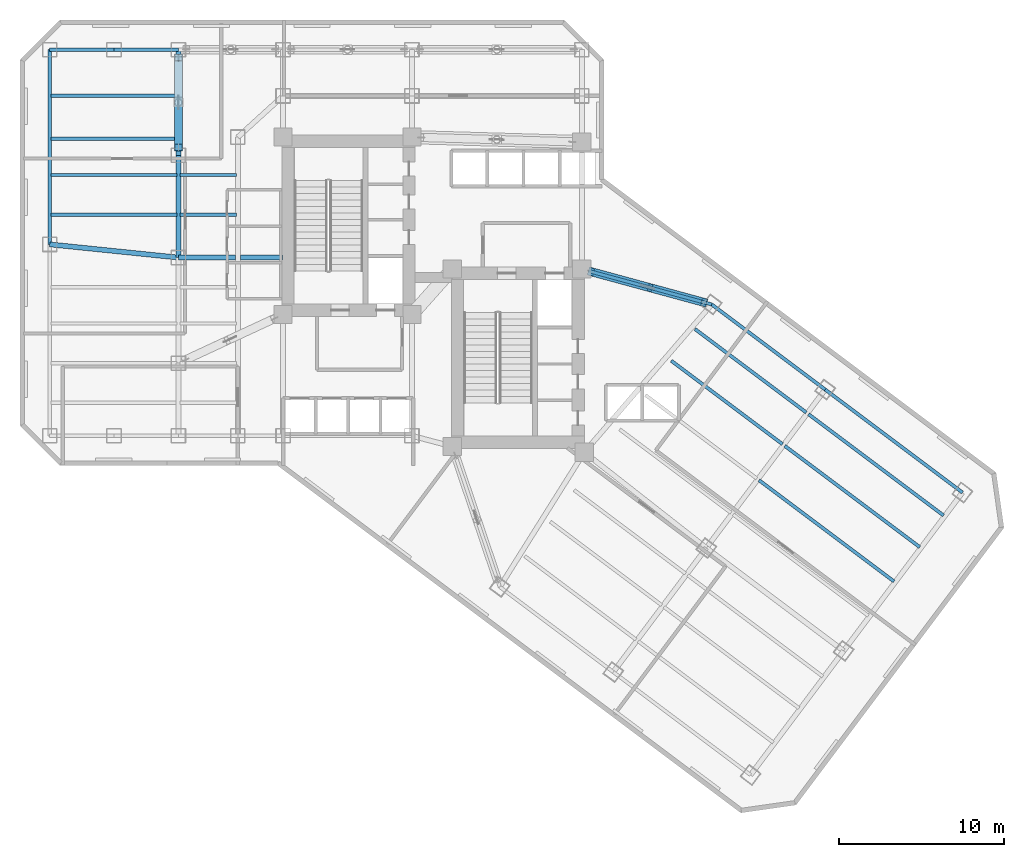
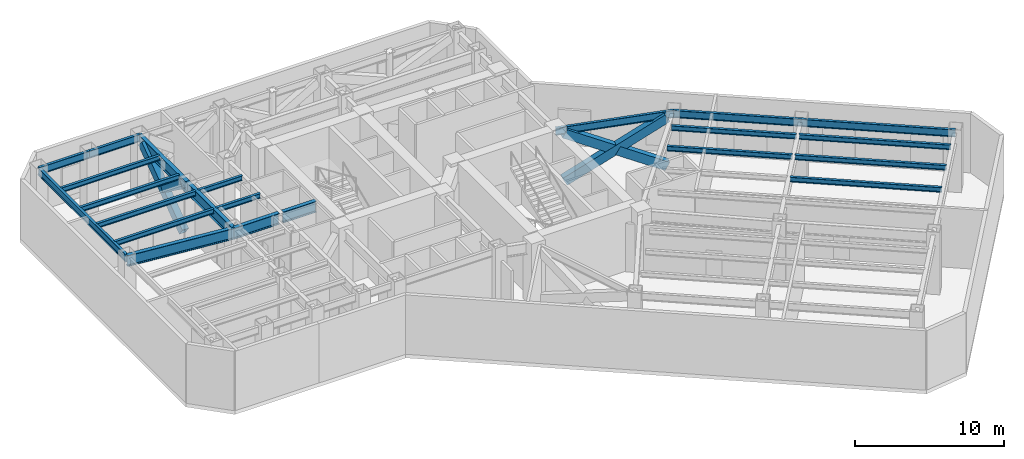
# One storey, part 2 of 14: 22 beams, 5 members.
"""IFC4 building model written with IfcOpenShell, lengths in metres."""

from ifc_helpers import new_model, si_unit, direction, frame, origin, origin_2d, place, context, subcontext, project, spatial, hollow_rectangle, i_section, extrude, material, material_profile, profile_set, type_object, element, save


model = new_model("IFC4")

# Units and contexts
model_context = context("Model", 3, precision=1e-05, world=origin(), true_north=direction((0.0, 1.0)))
body_context = subcontext(model_context, "Body", "Model", "MODEL_VIEW")
ifc_project = project(units=[si_unit("LENGTHUNIT", "METRE"), si_unit("AREAUNIT", "SQUARE_METRE"), si_unit("VOLUMEUNIT", "CUBIC_METRE"), si_unit("PLANEANGLEUNIT", "RADIAN"), si_unit("MASSUNIT", "GRAM", prefix="KILO")], contexts=[model_context])

# Site, building, storey
site_placement = place(None, origin())
site = spatial("IfcSite", under=ifc_project, at=site_placement, CompositionType="ELEMENT")
building_placement = place(site_placement, origin())
building = spatial("IfcBuilding", under=site, at=building_placement, Name="Hatsunagi Terrace Concourse", CompositionType="ELEMENT")
storey_placement = place(building_placement, frame((0.0, 0.0, 91.35009765625)))
storey = spatial("IfcBuildingStorey", under=building, at=storey_placement, Name="L24", CompositionType="ELEMENT", Elevation=91.35009765625)

# Beams
ifc_material_1 = material(Name="Steel SN490B", Category="steel")
ifc_material_profile_1 = material_profile(ifc_material_1, i_section(OverallWidth=0.300048828125, OverallDepth=0.89990234375, WebThickness=0.01611328125, FlangeThickness=0.028076171875, FilletRadius=0.02197265625, at=origin_2d()), Name="H-900x300x16x28")
ifc_profile_set_1 = profile_set([ifc_material_profile_1], Name="Steel SN490B")
beam_type_1 = type_object("IfcBeamType", Name="HeavyRefugeGirder_H_900x300", PredefinedType="BEAM", material=ifc_profile_set_1)
beam_1_placement = place(storey_placement, frame((19.199951171875, 36.0, 4.39990234375), z_axis=(0.0, 1.0, 0.0), x_axis=(-1.0, 0.0, 0.0)))
element("IfcBeam", 1, at=beam_1_placement, inside=storey, type_object=beam_type_1, Name="Beam G-02 BM-L24-NS-19-36", PredefinedType="BEAM", context=body_context, shape_type="SweptSolid", body=[
    extrude(i_section(OverallWidth=0.300048828125, OverallDepth=0.89990234375, WebThickness=0.01611328125, FlangeThickness=0.028076171875, FilletRadius=0.02197265625, at=origin_2d()), origin(), (0.0, 0.0, 1.0), 6.199951171875),
])
beam_2_placement = place(storey_placement, frame((19.199951171875, 42.199951171875, 4.39990234375), z_axis=(0.0, 1.0, 0.0), x_axis=(-1.0, 0.0, 0.0)))
element("IfcBeam", 2, at=beam_2_placement, inside=storey, type_object=beam_type_1, Name="Beam G-02 BM-L24-NS-19-42", PredefinedType="BEAM", context=body_context, shape_type="SweptSolid", body=[
    extrude(i_section(OverallWidth=0.300048828125, OverallDepth=0.89990234375, WebThickness=0.01611328125, FlangeThickness=0.028076171875, FilletRadius=0.02197265625, at=origin_2d()), origin(), (0.0, 0.0, 1.0), 6.400146484375),
])
beam_3_placement = place(storey_placement, frame((11.39990234375, 36.800048828125, 4.39990234375), z_axis=(0.994780871372, -0.102034395927, 0.0), x_axis=(0.102034395927, 0.994780871372, 0.0)))
element("IfcBeam", 3, at=beam_3_placement, inside=storey, type_object=beam_type_1, Name="Beam G-02 BM-L24-EW-2", PredefinedType="BEAM", context=body_context, shape_type="SweptSolid", body=[
    extrude(i_section(OverallWidth=0.300048828125, OverallDepth=0.89990234375, WebThickness=0.01611328125, FlangeThickness=0.028076171875, FilletRadius=0.02197265625, at=origin_2d()), origin(), (0.0, 0.0, 1.0), 7.841064453125),
])
beam_4_placement = place(storey_placement, frame((19.199951171875, 36.0, 4.39990234375), z_axis=(1.0, 0.0, 0.0), x_axis=(0.0, 1.0, 0.0)))
element("IfcBeam", 4, at=beam_4_placement, inside=storey, type_object=beam_type_1, Name="Beam G-02 BM-L24-EW-3", PredefinedType="BEAM", context=body_context, shape_type="SweptSolid", body=[
    extrude(i_section(OverallWidth=0.300048828125, OverallDepth=0.89990234375, WebThickness=0.01611328125, FlangeThickness=0.028076171875, FilletRadius=0.02197265625, at=origin_2d()), origin(), (0.0, 0.0, 1.0), 3.449951171875),
])
beam_5_placement = place(storey_placement, frame((22.949951171875, 36.0, 4.39990234375), z_axis=(1.0, 0.0, 0.0), x_axis=(0.0, 1.0, 0.0)))
element("IfcBeam", 5, at=beam_5_placement, inside=storey, type_object=beam_type_1, Name="Beam G-02 BM-L24-EW-4", PredefinedType="BEAM", context=body_context, shape_type="SweptSolid", body=[
    extrude(i_section(OverallWidth=0.300048828125, OverallDepth=0.89990234375, WebThickness=0.01611328125, FlangeThickness=0.028076171875, FilletRadius=0.02197265625, at=origin_2d()), origin(), (0.0, 0.0, 1.0), 2.56005859375),
])

# Members
ifc_material_2 = material(Name="Steel SN490C", Category="steel")
ifc_material_profile_2 = material_profile(ifc_material_2, hollow_rectangle(XDim=0.5, YDim=0.699951171875, WallThickness=0.031982421875, at=origin_2d()), Name="RHS-700x500x32")
ifc_profile_set_2 = profile_set([ifc_material_profile_2], Name="Steel SN490C")
member_type = type_object("IfcMemberType", Name="OutriggerDiagonal_RHS_700x500x32", PredefinedType="BRACE", material=ifc_profile_set_2)
member_1_placement = place(storey_placement, frame((19.199951171875, 42.677978515625, 0.4599609375), z_axis=(0.0, 0.810814398981, 0.585303349047), x_axis=(-1.0, 0.0, 0.0)))
element("IfcMember", 6, at=member_1_placement, inside=storey, type_object=member_type, Name="Primary Continuous Brace OUT-01 OUT-L24-2A", PredefinedType="BRACE", context=body_context, shape_type="SweptSolid", body=[
    extrude(hollow_rectangle(XDim=0.5, YDim=0.699951171875, WallThickness=0.031982421875, at=origin_2d()), origin(), (0.0, 0.0, 1.0), 6.71435546875),
])
member_2_placement = place(storey_placement, frame((19.199951171875, 42.677978515625, 4.389892578125), z_axis=(0.0, 0.810743267364, -0.585401874291), x_axis=(-1.0, 0.0, 0.0)))
element("IfcMember", 7, at=member_2_placement, inside=storey, type_object=member_type, Name="Split Secondary Brace Upper OUT-01 OUT-L24-2B1", PredefinedType="BRACE", context=body_context, shape_type="SweptSolid", body=[
    extrude(hollow_rectangle(XDim=0.5, YDim=0.699951171875, WallThickness=0.031982421875, at=origin_2d()), origin(), (0.0, 0.0, 1.0), 3.216796875),
])
member_3_placement = place(storey_placement, frame((44.2080078125, 35.14794921875, 0.4599609375), z_axis=(0.844252934101, -0.229580719126, 0.484282641302), x_axis=(0.262404472405, 0.964957974661, 0.0)))
element("IfcMember", 8, at=member_3_placement, inside=storey, type_object=member_type, Name="Primary Continuous Brace OUT-01 OUT-L24-6A", PredefinedType="BRACE", context=body_context, shape_type="SweptSolid", body=[
    extrude(hollow_rectangle(XDim=0.5, YDim=0.699951171875, WallThickness=0.031982421875, at=origin_2d()), origin(), (0.0, 0.0, 1.0), 8.114990234375),
])
member_4_placement = place(storey_placement, frame((44.2080078125, 35.14794921875, 4.389892578125), z_axis=(0.844261971574, -0.229499636717, -0.484305317027), x_axis=(0.262315560735, 0.96498214833, 0.0)))
element("IfcMember", 9, at=member_4_placement, inside=storey, type_object=member_type, Name="Split Secondary Brace Upper OUT-01 OUT-L24-6B1", PredefinedType="BRACE", context=body_context, shape_type="SweptSolid", body=[
    extrude(hollow_rectangle(XDim=0.5, YDim=0.699951171875, WallThickness=0.031982421875, at=origin_2d()), origin(), (0.0, 0.0, 1.0), 3.9169921875),
])
member_5_placement = place(storey_placement, frame((47.751953125, 34.18408203125, 2.35693359375), z_axis=(0.844267795415, -0.229546603463, -0.484272904944), x_axis=(0.262363863048, 0.964969016791, 0.0)))
element("IfcMember", 10, at=member_5_placement, inside=storey, type_object=member_type, Name="Split Secondary Brace Lower OUT-01 OUT-L24-6B2", PredefinedType="BRACE", context=body_context, shape_type="SweptSolid", body=[
    extrude(hollow_rectangle(XDim=0.5, YDim=0.699951171875, WallThickness=0.031982421875, at=origin_2d()), origin(), (0.0, 0.0, 1.0), 3.917236328125),
])

# Beams
ifc_material_3 = material(Name="Steel SN490B", Category="steel")
ifc_material_profile_3 = material_profile(ifc_material_3, i_section(OverallWidth=0.199951171875, OverallDepth=0.60009765625, WebThickness=0.010986328125, FlangeThickness=0.01708984375, FilletRadius=0.01806640625, at=origin_2d()), Name="H-600x200x11x17")
ifc_profile_set_3 = profile_set([ifc_material_profile_3], Name="Steel SN490B")
beam_type_2 = type_object("IfcBeamType", Name="PerimeterSpandrel_H_600x200", PredefinedType="SPANDREL", material=ifc_profile_set_3)
beam_6_placement = place(storey_placement, frame((11.39990234375, 48.60009765625, 4.5498046875), z_axis=(1.0, 0.0, 0.0), x_axis=(0.0, 1.0, 0.0)))
element("IfcBeam", 11, at=beam_6_placement, inside=storey, type_object=beam_type_2, Name="Beam SP-01 BM-L24-WN-11", PredefinedType="SPANDREL", context=body_context, shape_type="SweptSolid", body=[
    extrude(i_section(OverallWidth=0.199951171875, OverallDepth=0.60009765625, WebThickness=0.010986328125, FlangeThickness=0.01708984375, FilletRadius=0.01806640625, at=origin_2d()), origin(), (0.0, 0.0, 1.0), 3.900146484375),
])
beam_7_placement = place(storey_placement, frame((15.300048828125, 48.60009765625, 4.5498046875), z_axis=(1.0, 0.0, 0.0), x_axis=(0.0, 1.0, 0.0)))
element("IfcBeam", 12, at=beam_7_placement, inside=storey, type_object=beam_type_2, Name="Beam SP-01 BM-L24-WN-15", PredefinedType="SPANDREL", context=body_context, shape_type="SweptSolid", body=[
    extrude(i_section(OverallWidth=0.199951171875, OverallDepth=0.60009765625, WebThickness=0.010986328125, FlangeThickness=0.01708984375, FilletRadius=0.01806640625, at=origin_2d()), origin(), (0.0, 0.0, 1.0), 3.89990234375),
])
beam_8_placement = place(storey_placement, frame((11.39990234375, 36.800048828125, 4.5498046875), z_axis=(0.0, 1.0, 0.0), x_axis=(-1.0, 0.0, 0.0)))
element("IfcBeam", 13, at=beam_8_placement, inside=storey, type_object=beam_type_2, Name="Beam SP-01 BM-L24-NS-11-36", PredefinedType="SPANDREL", context=body_context, shape_type="SweptSolid", body=[
    extrude(i_section(OverallWidth=0.199951171875, OverallDepth=0.60009765625, WebThickness=0.010986328125, FlangeThickness=0.01708984375, FilletRadius=0.01806640625, at=origin_2d()), origin(), (0.0, 0.0, 1.0), 11.800048828125),
])
beam_9_placement = place(storey_placement, frame((43.64990234375, 35.300048828125, 4.5498046875), z_axis=(0.964958359286, -0.262403057994, 0.0), x_axis=(0.262403057994, 0.964958359286, 0.0)))
element("IfcBeam", 14, at=beam_9_placement, inside=storey, type_object=beam_type_2, Name="Beam SP-01 BM-L24-SE-NE0", PredefinedType="SPANDREL", context=body_context, shape_type="SweptSolid", body=[
    extrude(i_section(OverallWidth=0.199951171875, OverallDepth=0.60009765625, WebThickness=0.010986328125, FlangeThickness=0.01708984375, FilletRadius=0.01806640625, at=origin_2d()), origin(), (0.0, 0.0, 1.0), 8.156005859375),
])
beam_10_placement = place(storey_placement, frame((51.52001953125, 33.159912109375, 4.5498046875), z_axis=(0.8, -0.6, 0.0), x_axis=(0.6, 0.8, 0.0)))
element("IfcBeam", 15, at=beam_10_placement, inside=storey, type_object=beam_type_2, Name="Beam SP-01 BM-L24-SE-NE2", PredefinedType="SPANDREL", context=body_context, shape_type="SweptSolid", body=[
    extrude(i_section(OverallWidth=0.199951171875, OverallDepth=0.60009765625, WebThickness=0.010986328125, FlangeThickness=0.01708984375, FilletRadius=0.01806640625, at=origin_2d()), origin(), (0.0, 0.0, 1.0), 8.599853515625),
])
beam_11_placement = place(storey_placement, frame((58.39990234375, 28.0, 4.5498046875), z_axis=(0.800002816985, -0.599996244001, 0.0), x_axis=(0.599996244001, 0.800002816985, 0.0)))
element("IfcBeam", 16, at=beam_11_placement, inside=storey, type_object=beam_type_2, Name="Beam SP-01 BM-L24-SE-NE3", PredefinedType="SPANDREL", context=body_context, shape_type="SweptSolid", body=[
    extrude(i_section(OverallWidth=0.199951171875, OverallDepth=0.60009765625, WebThickness=0.010986328125, FlangeThickness=0.01708984375, FilletRadius=0.01806640625, at=origin_2d()), origin(), (0.0, 0.0, 1.0), 10.400146484375),
])
ifc_material_4 = material(Name="Steel SN490B", Category="steel")
ifc_material_profile_4 = material_profile(ifc_material_4, i_section(OverallWidth=0.199951171875, OverallDepth=0.39990234375, WebThickness=0.008056640625, FlangeThickness=0.012939453125, FilletRadius=0.012939453125, at=origin_2d()), Name="H-400x200x8x13")
ifc_profile_set_4 = profile_set([ifc_material_profile_4], Name="Steel SN490B")
beam_type_3 = type_object("IfcBeamType", Name="PodiumJoist_H_400x200", PredefinedType="JOIST", material=ifc_profile_set_4)
beam_12_placement = place(storey_placement, frame((11.465087890625, 38.60009765625, 4.64990234375), z_axis=(1.0, 0.0, 0.0), x_axis=(0.0, 1.0, 0.0)))
element("IfcBeam", 17, at=beam_12_placement, inside=storey, type_object=beam_type_3, Name="Beam J-01 J-L24-W-11-386", PredefinedType="JOIST", context=body_context, shape_type="SweptSolid", body=[
    extrude(i_section(OverallWidth=0.199951171875, OverallDepth=0.39990234375, WebThickness=0.008056640625, FlangeThickness=0.012939453125, FilletRadius=0.012939453125, at=origin_2d()), origin(), (0.0, 0.0, 1.0), 7.64990234375),
])
beam_13_placement = place(storey_placement, frame((19.284912109375, 38.60009765625, 4.64990234375), z_axis=(1.0, 0.0, 0.0), x_axis=(0.0, 1.0, 0.0)))
element("IfcBeam", 18, at=beam_13_placement, inside=storey, type_object=beam_type_3, Name="Beam J-01 J-L24-W-19-386", PredefinedType="JOIST", context=body_context, shape_type="SweptSolid", body=[
    extrude(i_section(OverallWidth=0.199951171875, OverallDepth=0.39990234375, WebThickness=0.008056640625, FlangeThickness=0.012939453125, FilletRadius=0.012939453125, at=origin_2d()), origin(), (0.0, 0.0, 1.0), 3.43017578125),
])
beam_14_placement = place(storey_placement, frame((11.465087890625, 41.0, 4.64990234375), z_axis=(1.0, 0.0, 0.0), x_axis=(0.0, 1.0, 0.0)))
element("IfcBeam", 19, at=beam_14_placement, inside=storey, type_object=beam_type_3, Name="Beam J-01 J-L24-W-11-410", PredefinedType="JOIST", context=body_context, shape_type="SweptSolid", body=[
    extrude(i_section(OverallWidth=0.199951171875, OverallDepth=0.39990234375, WebThickness=0.008056640625, FlangeThickness=0.012939453125, FilletRadius=0.012939453125, at=origin_2d()), origin(), (0.0, 0.0, 1.0), 7.64990234375),
])
beam_15_placement = place(storey_placement, frame((19.284912109375, 41.0, 4.64990234375), z_axis=(1.0, 0.0, 0.0), x_axis=(0.0, 1.0, 0.0)))
element("IfcBeam", 20, at=beam_15_placement, inside=storey, type_object=beam_type_3, Name="Beam J-01 J-L24-W-19-410", PredefinedType="JOIST", context=body_context, shape_type="SweptSolid", body=[
    extrude(i_section(OverallWidth=0.199951171875, OverallDepth=0.39990234375, WebThickness=0.008056640625, FlangeThickness=0.012939453125, FilletRadius=0.012939453125, at=origin_2d()), origin(), (0.0, 0.0, 1.0), 3.43017578125),
])
for number, where, z_axis, x_axis, name in (
    (21, (11.465087890625, 43.199951171875, 4.64990234375), (1.0, 0.0, 0.0), (0.0, 1.0, 0.0), "Beam J-01 J-L24-W-11-432"),
    (22, (11.465087890625, 45.800048828125, 4.64990234375), (1.0, 0.0, 0.0), (0.0, 1.0, 0.0), "Beam J-01 J-L24-W-11-458"),
):
    element("IfcBeam", number, at=place(storey_placement, frame(where, z_axis=z_axis, x_axis=x_axis)), inside=storey, type_object=beam_type_3, Name=name, PredefinedType="JOIST", context=body_context, shape_type="SweptSolid", body=[
        extrude(i_section(OverallWidth=0.199951171875, OverallDepth=0.39990234375, WebThickness=0.008056640625, FlangeThickness=0.012939453125, FilletRadius=0.012939453125, at=origin_2d()), origin(), (0.0, 0.0, 1.0), 7.64990234375),
    ])
for number, where, z_axis, x_axis, name in (
    (23, (49.068115234375, 29.7490234375, 4.64990234375), (0.799989573921, -0.600013901187, 0.0), (0.600013901187, 0.799989573921, 0.0), "Beam J-01 J-L24-SE-2-194"),
    (24, (50.508056640625, 31.6689453125, 4.64990234375), (0.800003475366, -0.59999536615, 0.0), (0.59999536615, 0.800003475366, 0.0), "Beam J-01 J-L24-SE-2-218"),
):
    element("IfcBeam", number, at=place(storey_placement, frame(where, z_axis=z_axis, x_axis=x_axis)), inside=storey, type_object=beam_type_3, Name=name, PredefinedType="JOIST", context=body_context, shape_type="SweptSolid", body=[
        extrude(i_section(OverallWidth=0.199951171875, OverallDepth=0.39990234375, WebThickness=0.008056640625, FlangeThickness=0.012939453125, FilletRadius=0.012939453125, at=origin_2d()), origin(), (0.0, 0.0, 1.0), 8.429931640625),
    ])
beam_16_placement = place(storey_placement, frame((54.387939453125, 22.509033203125, 4.64990234375), z_axis=(0.800005727586, -0.599992363142, 0.0), x_axis=(0.599992363142, 0.800005727586, 0.0)))
element("IfcBeam", 25, at=beam_16_placement, inside=storey, type_object=beam_type_3, Name="Beam J-01 J-L24-SE-3-168", PredefinedType="JOIST", context=body_context, shape_type="SweptSolid", body=[
    extrude(i_section(OverallWidth=0.199951171875, OverallDepth=0.39990234375, WebThickness=0.008056640625, FlangeThickness=0.012939453125, FilletRadius=0.012939453125, at=origin_2d()), origin(), (0.0, 0.0, 1.0), 10.22998046875),
])
beam_17_placement = place(storey_placement, frame((55.947998046875, 24.589111328125, 4.64990234375), z_axis=(0.799994272423, -0.600007636694, 0.0), x_axis=(0.600007636694, 0.799994272423, 0.0)))
element("IfcBeam", 26, at=beam_17_placement, inside=storey, type_object=beam_type_3, Name="Beam J-01 J-L24-SE-3-194", PredefinedType="JOIST", context=body_context, shape_type="SweptSolid", body=[
    extrude(i_section(OverallWidth=0.199951171875, OverallDepth=0.39990234375, WebThickness=0.008056640625, FlangeThickness=0.012939453125, FilletRadius=0.012939453125, at=origin_2d()), origin(), (0.0, 0.0, 1.0), 10.230224609375),
])
beam_18_placement = place(storey_placement, frame((57.387939453125, 26.509033203125, 4.64990234375), z_axis=(0.800005727586, -0.599992363142, 0.0), x_axis=(0.599992363142, 0.800005727586, 0.0)))
element("IfcBeam", 27, at=beam_18_placement, inside=storey, type_object=beam_type_3, Name="Beam J-01 J-L24-SE-3-218", PredefinedType="JOIST", context=body_context, shape_type="SweptSolid", body=[
    extrude(i_section(OverallWidth=0.199951171875, OverallDepth=0.39990234375, WebThickness=0.008056640625, FlangeThickness=0.012939453125, FilletRadius=0.012939453125, at=origin_2d()), origin(), (0.0, 0.0, 1.0), 10.22998046875),
])

save(model, "model.ifc")
